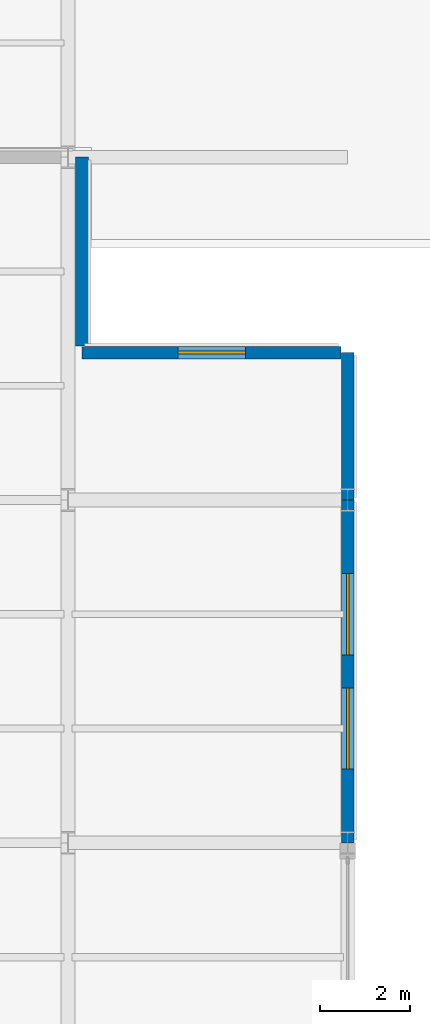
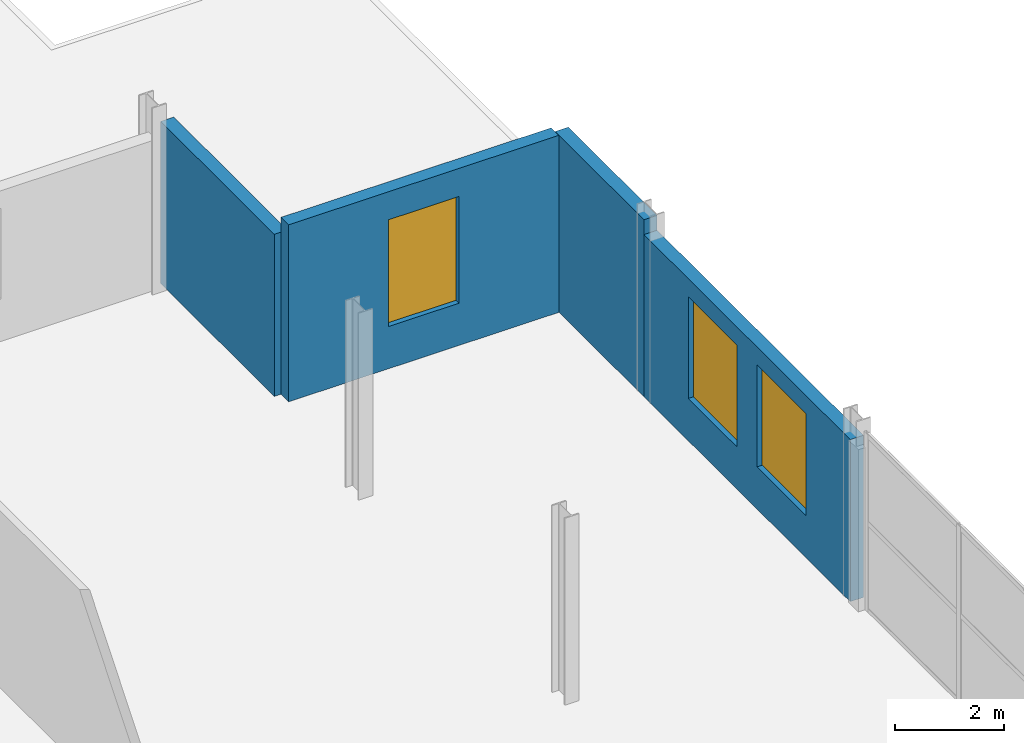
# One storey, part 89 of 101: 4 walls, 3 windows, 3 openings.
"""IFC4 building model written with IfcOpenShell, lengths in metres."""

from ifc_helpers import new_model, si_unit, direction, frame, frame_2d, origin, place, context, subcontext, project, spatial, rectangle, extrude, material, layer, layer_set, type_object, element, fill, save


model = new_model("IFC4")

# Units and contexts
model_context = context("Model", 3, precision=1e-05, world=origin(), true_north=direction((0.0, 1.0)))
body_context = subcontext(model_context, "Body", "Model", "MODEL_VIEW")
ifc_project = project(units=[si_unit("LENGTHUNIT", "METRE"), si_unit("AREAUNIT", "SQUARE_METRE"), si_unit("VOLUMEUNIT", "CUBIC_METRE"), si_unit("PLANEANGLEUNIT", "RADIAN"), si_unit("MASSUNIT", "GRAM", prefix="KILO")], contexts=[model_context])

# Site, building, storey
site_placement = place(None, origin())
site = spatial("IfcSite", under=ifc_project, at=site_placement, CompositionType="ELEMENT")
building_placement = place(site_placement, origin())
building = spatial("IfcBuilding", under=site, at=building_placement, Name="Vekula Escarpment Museum", CompositionType="ELEMENT")
storey_placement = place(building_placement, frame((0.0, 0.0, 18.0)))
storey = spatial("IfcBuildingStorey", under=building, at=storey_placement, Name="L04", CompositionType="ELEMENT", Elevation=18.0)

# Wall, openings, windows
ifc_material_1 = material(Name="Inkisi arkosic sandstone masonry", Category="masonry")
ifc_layer = layer(ifc_material_1, 0.280029296875)
ifc_layer_set = layer_set([ifc_layer], Name="Inkisi arkosic sandstone masonry")
wall_type = type_object("IfcWallType", Name="WL-CUM-280", PredefinedType="SOLIDWALL", material=ifc_layer_set)
wall_1_placement = place(storey_placement, frame((198.0, 113.199951171875, 0.0), z_axis=(0.0, 0.0, 1.0), x_axis=(0.0, -1.0, 0.0)))
wall_1 = element("IfcWall", 1, at=wall_1_placement, inside=storey, type_object=wall_type, Name="Exterior Wall WL-EXT-L04-0737", PredefinedType="SOLIDWALL", context=body_context, shape_type="SweptSolid", body=[
    extrude(rectangle(XDim=7.599853515625, YDim=0.280029296875, at=frame_2d((3.7998046875, 0.0))), origin(), (0.0, 0.0, 1.0), 3.64501953125),
])
opening_1_placement = place(wall_1_placement, frame((1.63330078125, 0.0, 0.949951171875)))
opening_1 = element("IfcOpeningElement", 2, at=opening_1_placement, cuts=wall_1, Name="Opening WN-07", PredefinedType="OPENING", context=body_context, shape_type="SweptSolid", body=[
    extrude(rectangle(XDim=1.800048828125, YDim=2.2900390625, at=frame_2d((0.89990234375, 1.14501953125))), frame((0.0, 0.14990234375, 0.0), z_axis=(0.0, -1.0, 0.0), x_axis=(1.0, 0.0, 0.0)), (0.0, 0.0, 1.0), 0.300048828125),
])
opening_2_placement = place(wall_1_placement, frame((4.166748046875, 0.0, 0.949951171875)))
opening_2 = element("IfcOpeningElement", 3, at=opening_2_placement, cuts=wall_1, Name="Opening WN-07", PredefinedType="OPENING", context=body_context, shape_type="SweptSolid", body=[
    extrude(rectangle(XDim=1.800048828125, YDim=2.2900390625, at=frame_2d((0.89990234375, 1.14501953125))), frame((0.0, 0.14990234375, 0.0), z_axis=(0.0, -1.0, 0.0), x_axis=(1.0, 0.0, 0.0)), (0.0, 0.0, 1.0), 0.300048828125),
])
ifc_material_2 = material(Name="Double solar-control low-E glass", Category="glass")
window_type_1 = type_object("IfcWindowType", Name="WN-CUMBA-18x26", PartitioningType="DOUBLE_PANEL_VERTICAL", PredefinedType="WINDOW", material=ifc_material_2)
window_1_placement = place(opening_1_placement, origin())
window_1 = element("IfcWindow", 4, at=window_1_placement, inside=storey, type_object=window_type_1, Name="Window L04-0383", OverallHeight=2.2900390625, OverallWidth=1.800048828125, PartitioningType="SINGLE_PANEL", PredefinedType="WINDOW", context=body_context, shape_type="SweptSolid", body=[
    extrude(rectangle(XDim=1.800048828125, YDim=2.2900390625, at=frame_2d((0.89990234375, 1.14501953125))), frame((0.0, 0.030029296875, 0.0), z_axis=(0.0, -1.0, 0.0), x_axis=(1.0, 0.0, 0.0)), (0.0, 0.0, 1.0), 0.06005859375),
])
fill(opening_1, window_1)
window_2_placement = place(opening_2_placement, origin())
window_2 = element("IfcWindow", 5, at=window_2_placement, inside=storey, type_object=window_type_1, Name="Window L04-0384", OverallHeight=2.2900390625, OverallWidth=1.800048828125, PartitioningType="SINGLE_PANEL", PredefinedType="WINDOW", context=body_context, shape_type="SweptSolid", body=[
    extrude(rectangle(XDim=1.800048828125, YDim=2.2900390625, at=frame_2d((0.89990234375, 1.14501953125))), frame((0.0, 0.030029296875, 0.0), z_axis=(0.0, -1.0, 0.0), x_axis=(1.0, 0.0, 0.0)), (0.0, 0.0, 1.0), 0.06005859375),
])
fill(opening_2, window_2)

# Wall
wall_2_placement = place(storey_placement, frame((198.0, 116.468017578125, 0.0), z_axis=(0.0, 0.0, 1.0), x_axis=(0.0, -1.0, 0.0)))
element("IfcWall", 6, at=wall_2_placement, inside=storey, type_object=wall_type, Name="Exterior Wall WL-EXT-L04-0738", PredefinedType="SOLIDWALL", context=body_context, shape_type="SweptSolid", body=[
    extrude(rectangle(XDim=3.26806640625, YDim=0.280029296875, at=frame_2d((1.634033203125, 0.0))), origin(), (0.0, 0.0, 1.0), 3.97998046875),
])

# Wall, opening, window
wall_3_placement = place(storey_placement, frame((192.110107421875, 116.468017578125, 0.0), z_axis=(0.0, 0.0, 1.0), x_axis=(1.0, 0.0, 0.0)))
wall_3 = element("IfcWall", 7, at=wall_3_placement, inside=storey, type_object=wall_type, Name="Exterior Wall WL-EXT-L04-0739", PredefinedType="SOLIDWALL", context=body_context, shape_type="SweptSolid", body=[
    extrude(rectangle(XDim=5.745849609375, YDim=0.280029296875, at=frame_2d((2.873046875, 0.0))), origin(), (0.0, 0.0, 1.0), 3.97998046875),
])
opening_3_placement = place(wall_3_placement, frame((2.123046875, 0.0, 0.949951171875)))
opening_3 = element("IfcOpeningElement", 8, at=opening_3_placement, cuts=wall_3, Name="Opening WN-06", PredefinedType="OPENING", context=body_context, shape_type="SweptSolid", body=[
    extrude(rectangle(XDim=1.5, YDim=2.39990234375, at=frame_2d((0.75, 1.199951171875))), frame((0.0, 0.14990234375, 0.0), z_axis=(0.0, -1.0, 0.0), x_axis=(1.0, 0.0, 0.0)), (0.0, 0.0, 1.0), 0.300048828125),
])
ifc_material_3 = material(Name="Double solar-control low-E glass", Category="glass")
window_type_2 = type_object("IfcWindowType", Name="WN-CUMBA-15x24", PartitioningType="SINGLE_PANEL", PredefinedType="WINDOW", material=ifc_material_3)
window_3_placement = place(opening_3_placement, origin())
window_3 = element("IfcWindow", 9, at=window_3_placement, inside=storey, type_object=window_type_2, Name="Window L04-0385", OverallHeight=2.39990234375, OverallWidth=1.5, PartitioningType="SINGLE_PANEL", PredefinedType="WINDOW", context=body_context, shape_type="SweptSolid", body=[
    extrude(rectangle(XDim=1.5, YDim=2.39990234375, at=frame_2d((0.75, 1.199951171875))), frame((0.0, 0.030029296875, 0.0), z_axis=(0.0, -1.0, 0.0), x_axis=(1.0, 0.0, 0.0)), (0.0, 0.0, 1.0), 0.06005859375),
])
fill(opening_3, window_3)

# Wall
wall_4_placement = place(storey_placement, frame((192.110107421875, 120.800048828125, 0.0), z_axis=(0.0, 0.0, 1.0), x_axis=(0.0, -1.0, 0.0)))
element("IfcWall", 10, at=wall_4_placement, inside=storey, type_object=wall_type, Name="Exterior Wall WL-EXT-L04-0740", PredefinedType="SOLIDWALL", context=body_context, shape_type="SweptSolid", body=[
    extrude(rectangle(XDim=4.18798828125, YDim=0.280029296875, at=frame_2d((2.093994140625, 0.0))), origin(), (0.0, 0.0, 1.0), 3.64501953125),
])

save(model, "model.ifc")
